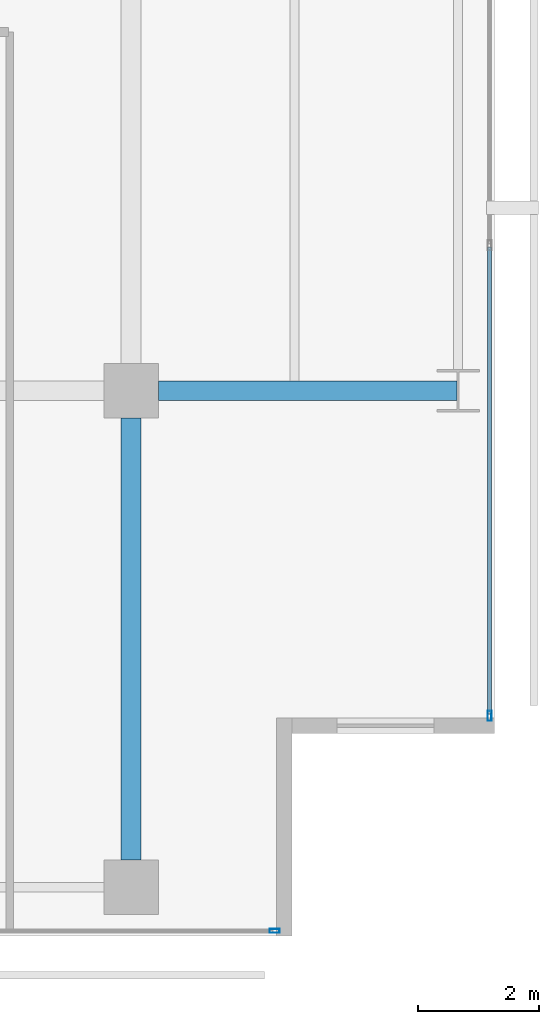
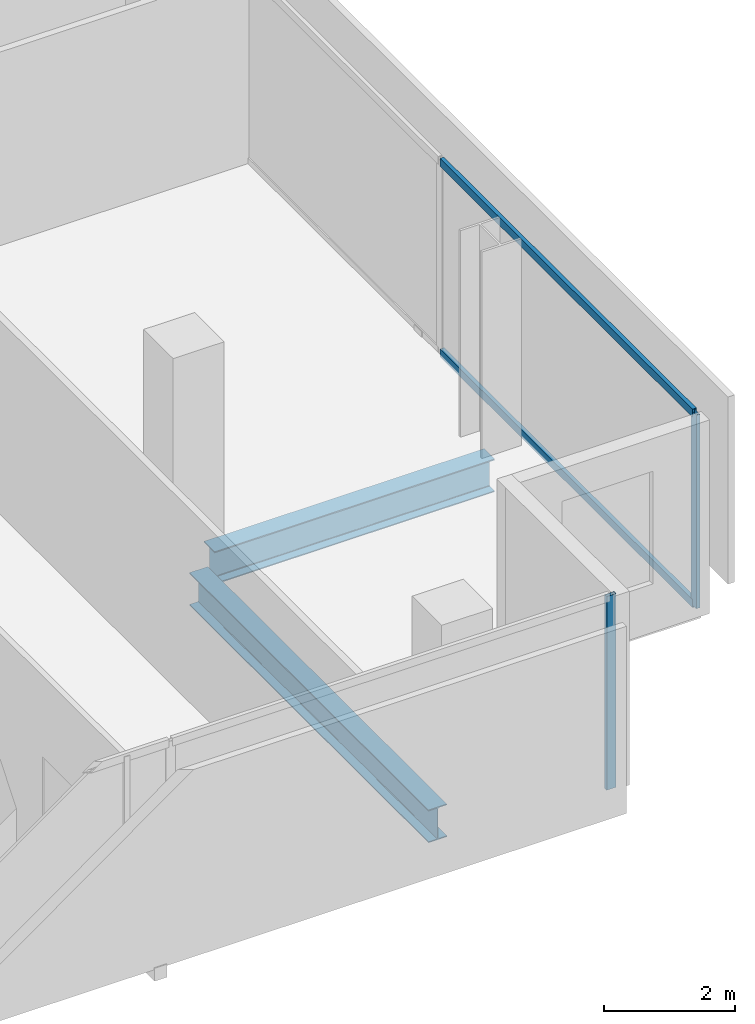
# One storey, part 16 of 40: 4 members, 2 beams, 2 elements without a shape of their own.
"""IFC4 building model written with IfcOpenShell, lengths in metres."""

from ifc_helpers import new_model, si_unit, direction, frame, origin, origin_2d, place, context, subcontext, project, spatial, hollow_rectangle, i_section, extrude, material, layer, layer_set, material_profile, profile_set, type_object, element, aggregate, save


model = new_model("IFC4")

# Units and contexts
model_context = context("Model", 3, precision=1e-05, world=origin(), true_north=direction((0.0, 1.0)))
body_context = subcontext(model_context, "Body", "Model", "MODEL_VIEW")
ifc_project = project(units=[si_unit("LENGTHUNIT", "METRE"), si_unit("AREAUNIT", "SQUARE_METRE"), si_unit("VOLUMEUNIT", "CUBIC_METRE"), si_unit("PLANEANGLEUNIT", "RADIAN"), si_unit("MASSUNIT", "GRAM", prefix="KILO")], contexts=[model_context])

# Site, building, storey
site_placement = place(None, origin())
site = spatial("IfcSite", under=ifc_project, at=site_placement, CompositionType="ELEMENT")
building_placement = place(site_placement, origin())
building = spatial("IfcBuilding", under=site, at=building_placement, Name="Maruvema Waterfront Hotel and Observation Tower", CompositionType="ELEMENT")
storey_placement = place(building_placement, frame((0.0, 0.0, 107.800048828125)))
storey = spatial("IfcBuildingStorey", under=building, at=storey_placement, Name="L26", CompositionType="ELEMENT", Elevation=107.800048828125)

# Curtain wall, members
ifc_material_1 = material(Name="Anodised bronze aluminium and solar-control low-E IGU", Category="aluminium")
ifc_layer = layer(ifc_material_1, 0.159912109375, Name="Zone 1 Bronze Inner Thermal Curtain Wall System CW-02")
ifc_layer_set = layer_set([ifc_layer], Name="Anodised bronze aluminium and solar-control low-E IGU")
curtain_wall_type = type_object("IfcCurtainWallType", Name="Zone 1 Bronze Inner Thermal Curtain Wall System CW-02", PredefinedType="USERDEFINED", material=ifc_layer_set)
curtain_wall_1_placement = place(storey_placement, origin())
curtain_wall_1 = element("IfcCurtainWall", 1, at=curtain_wall_1_placement, inside=storey, type_object=curtain_wall_type, Name="L26 Curtain Wall CW-L26-E", ObjectType="UNITISED CURTAIN WALL", PredefinedType="USERDEFINED")
ifc_material_2 = material(Name="Anodised architectural bronze aluminium", Category="aluminium")
ifc_material_profile_1 = material_profile(ifc_material_2, hollow_rectangle(XDim=0.070068359375, YDim=0.14990234375, WallThickness=0.00390625, at=origin_2d()), Name="ALU-T70x150")
ifc_profile_set_1 = profile_set([ifc_material_profile_1], Name="Anodised architectural bronze aluminium")
member_type_1 = type_object("IfcMemberType", Name="Curtain Wall Horizontal Transom ALU-T70x150", PredefinedType="USERDEFINED", material=ifc_profile_set_1)
member_1_placement = place(storey_placement, frame((64.719970703125, 3.659912109375, 0.030029296875), z_axis=(0.0, 1.0, 0.0), x_axis=(-1.0, 0.0, 0.0)))
member_1 = element("IfcMember", 2, at=member_1_placement, type_object=member_type_1, Name="CW-02 transom 1.1", ObjectType="TRANSOM", PredefinedType="USERDEFINED", context=body_context, shape_type="SweptSolid", body=[
    extrude(hollow_rectangle(XDim=0.070068359375, YDim=0.14990234375, WallThickness=0.00390625, at=origin_2d()), origin(), (0.0, 0.0, 1.0), 7.710205078125),
])
member_2_placement = place(storey_placement, frame((64.719970703125, 3.659912109375, 3.579833984375), z_axis=(0.0, 1.0, 0.0), x_axis=(-1.0, 0.0, 0.0)))
member_2 = element("IfcMember", 3, at=member_2_placement, type_object=member_type_1, Name="CW-02 transom 1.2", ObjectType="TRANSOM", PredefinedType="USERDEFINED", context=body_context, shape_type="SweptSolid", body=[
    extrude(hollow_rectangle(XDim=0.070068359375, YDim=0.14990234375, WallThickness=0.00390625, at=origin_2d()), origin(), (0.0, 0.0, 1.0), 7.710205078125),
])

# Curtain wall, member
curtain_wall_2_placement = place(storey_placement, origin())
curtain_wall_2 = element("IfcCurtainWall", 4, at=curtain_wall_2_placement, inside=storey, type_object=curtain_wall_type, Name="L26 Curtain Wall CW-L26-S", ObjectType="UNITISED CURTAIN WALL", PredefinedType="USERDEFINED")
ifc_material_3 = material(Name="Anodised architectural bronze aluminium", Category="aluminium")
ifc_material_profile_2 = material_profile(ifc_material_3, hollow_rectangle(XDim=0.06494140625, YDim=0.1650390625, WallThickness=0.00390625, at=origin_2d()), Name="ALU-M65x165")
ifc_profile_set_2 = profile_set([ifc_material_profile_2], Name="Anodised architectural bronze aluminium")
member_type_2 = type_object("IfcMemberType", Name="Curtain Wall Primary Mullion ALU-M65x165", PredefinedType="MULLION", material=ifc_profile_set_2)
member_3_placement = place(storey_placement, frame((61.169921875, 0.080078125, 0.0), z_axis=(0.0, 0.0, 1.0), x_axis=(0.0, 1.0, 0.0)))
member_3 = element("IfcMember", 5, at=member_3_placement, type_object=member_type_2, Name="CW-02 mullion 7", PredefinedType="MULLION", context=body_context, shape_type="SweptSolid", body=[
    extrude(hollow_rectangle(XDim=0.06494140625, YDim=0.1650390625, WallThickness=0.00390625, at=origin_2d()), origin(), (0.0, 0.0, 1.0), 3.60986328125),
])
aggregate(curtain_wall_2, [member_3])

# Member
member_4_placement = place(storey_placement, frame((64.719970703125, 3.6298828125, 0.0), z_axis=(0.0, 0.0, 1.0), x_axis=(-1.0, 0.0, 0.0)))
member_4 = element("IfcMember", 6, at=member_4_placement, type_object=member_type_2, Name="CW-02 mullion 1", PredefinedType="MULLION", context=body_context, shape_type="SweptSolid", body=[
    extrude(hollow_rectangle(XDim=0.06494140625, YDim=0.1650390625, WallThickness=0.00390625, at=origin_2d()), origin(), (0.0, 0.0, 1.0), 3.60986328125),
])

aggregate(curtain_wall_1, [member_4, member_1, member_2])

# Beams
ifc_material_4 = material(Name="Steel ASTM A572 Grade 50", Category="steel")
ifc_material_profile_3 = material_profile(ifc_material_4, i_section(OverallWidth=0.323974609375, OverallDepth=0.611083984375, WebThickness=0.0126953125, FlangeThickness=0.01904296875, FilletRadius=0.01806640625, at=origin_2d()), Name="W610x155.0")
ifc_profile_set_3 = profile_set([ifc_material_profile_3], Name="Steel ASTM A572 Grade 50")
beam_type = type_object("IfcBeamType", Name="Primary Floor Girder W610x155.0", PredefinedType="BEAM", material=ifc_profile_set_3)
beam_1_placement = place(storey_placement, frame((59.25, 9.0, -0.545654296875), z_axis=(1.0, 0.0, 0.0), x_axis=(0.0, 1.0, 0.0)))
element("IfcBeam", 7, at=beam_1_placement, inside=storey, type_object=beam_type, Name="L26 Floor Girder EW-12", PredefinedType="BEAM", context=body_context, shape_type="SweptSolid", body=[
    extrude(i_section(OverallWidth=0.323974609375, OverallDepth=0.611083984375, WebThickness=0.0126953125, FlangeThickness=0.01904296875, FilletRadius=0.01806640625, at=origin_2d()), origin(), (0.0, 0.0, 1.0), 4.93603515625),
])
beam_2_placement = place(storey_placement, frame((58.800048828125, 1.25, -0.545654296875), z_axis=(0.0, 1.0, 0.0), x_axis=(-1.0, 0.0, 0.0)))
element("IfcBeam", 8, at=beam_2_placement, inside=storey, type_object=beam_type, Name="L26 Floor Girder NS-27", PredefinedType="BEAM", context=body_context, shape_type="SweptSolid", body=[
    extrude(i_section(OverallWidth=0.323974609375, OverallDepth=0.611083984375, WebThickness=0.0126953125, FlangeThickness=0.01904296875, FilletRadius=0.01806640625, at=origin_2d()), origin(), (0.0, 0.0, 1.0), 7.300048828125),
])

save(model, "model.ifc")
